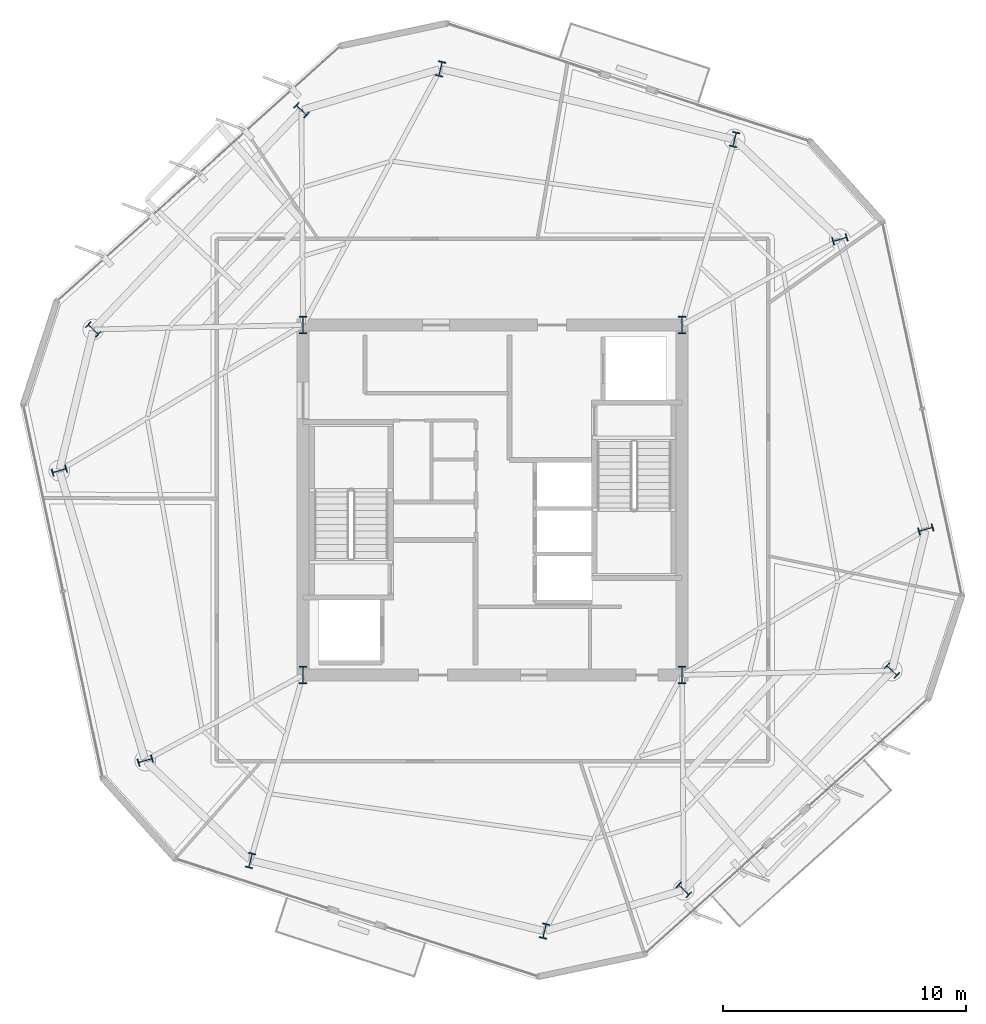
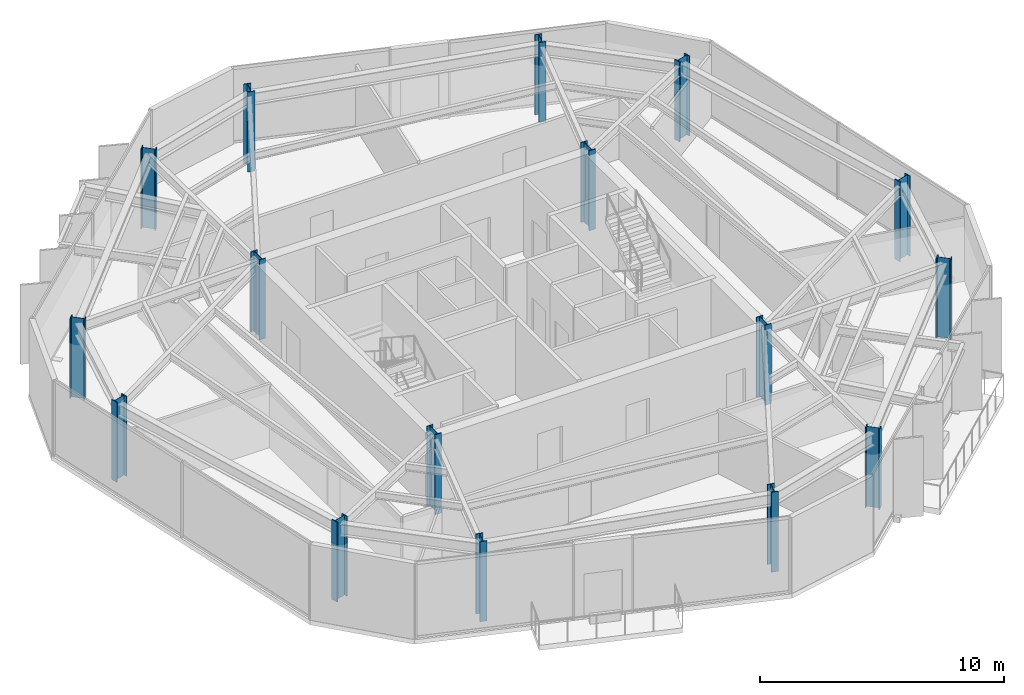
# One storey, part 1 of 11: 16 columns.
"""IFC4 building model written with IfcOpenShell, lengths in metres."""

from ifc_helpers import new_model, si_unit, direction, frame, origin, origin_2d, place, context, subcontext, project, spatial, i_section, extrude, material, material_profile, profile_set, type_object, element, save


model = new_model("IFC4")

# Units and contexts
model_context = context("Model", 3, precision=1e-05, world=origin(), true_north=direction((0.0, 1.0)))
body_context = subcontext(model_context, "Body", "Model", "MODEL_VIEW")
ifc_project = project(units=[si_unit("LENGTHUNIT", "METRE"), si_unit("AREAUNIT", "SQUARE_METRE"), si_unit("VOLUMEUNIT", "CUBIC_METRE"), si_unit("PLANEANGLEUNIT", "RADIAN"), si_unit("MASSUNIT", "GRAM", prefix="KILO")], contexts=[model_context])

# Site, building, storey
site_placement = place(None, origin())
site = spatial("IfcSite", under=ifc_project, at=site_placement, CompositionType="ELEMENT")
building_placement = place(site_placement, origin())
building = spatial("IfcBuilding", under=site, at=building_placement, Name="Kranzbogen Civic Tower", CompositionType="ELEMENT")
storey_placement = place(building_placement, frame((0.0, 0.0, 192.800048828125)))
storey = spatial("IfcBuildingStorey", under=building, at=storey_placement, Name="L46", CompositionType="ELEMENT", Elevation=192.800048828125)

# Columns
ifc_material_1 = material(Name="Steel S355", Category="steel")
ifc_material_profile_1 = material_profile(ifc_material_1, i_section(OverallWidth=0.304931640625, OverallDepth=0.6201171875, WebThickness=0.02099609375, FlangeThickness=0.0400390625, at=origin_2d()), Name="HEM 600")
ifc_profile_set_1 = profile_set([ifc_material_profile_1], Name="Steel S355")
column_type_1 = type_object("IfcColumnType", Name="Structural Column HEM 600", PredefinedType="COLUMN", material=ifc_profile_set_1)
for number, where, z_axis, x_axis, name in (
    (1, (34.9609375, 39.8349609375, 0.0), (0.0, 0.0, 1.0), (-0.972369920398, 0.233445363856, 0.0), "L46 tower perimeter tube column 01"),
    (2, (22.860107421875, 42.739990234375, 0.0), (0.0, 0.0, 1.0), (-0.972369920398, 0.233445363856, 0.0), "L46 tower perimeter tube column 02"),
    (3, (17.133056640625, 41.0439453125, 0.0), (0.0, 0.0, 1.0), (0.688354575694, 0.725374371012, 0.0), "L46 tower perimeter tube column 03"),
    (4, (8.56689453125, 32.01611328125, 0.0), (0.0, 0.0, 1.0), (0.688354575694, 0.725374371012, 0.0), "L46 tower perimeter tube column 04"),
    (5, (7.172119140625, 26.208984375, 0.0), (0.0, 0.0, 1.0), (-0.284015344704, 0.958819734868, 0.0), "L46 tower perimeter tube column 05"),
    (6, (10.70703125, 14.27587890625, 0.0), (0.0, 0.0, 1.0), (-0.284015344704, 0.958819734868, 0.0), "L46 tower perimeter tube column 06"),
    (7, (15.0390625, 10.1650390625, 0.0), (0.0, 0.0, 1.0), (-0.972369920398, 0.233445363856, 0.0), "L46 tower perimeter tube column 07"),
    (8, (27.139892578125, 7.260009765625, 0.0), (0.0, 0.0, 1.0), (-0.972369920398, 0.233445363856, 0.0), "L46 tower perimeter tube column 08"),
    (9, (32.866943359375, 8.9560546875, 0.0), (0.0, 0.0, 1.0), (0.688354575694, 0.725374371012, 0.0), "L46 tower perimeter tube column 09"),
    (10, (41.43310546875, 17.98388671875, 0.0), (0.0, 0.0, 1.0), (0.688354575694, 0.725374371012, 0.0), "L46 tower perimeter tube column 10"),
    (11, (42.827880859375, 23.791015625, 0.0), (0.0, 0.0, 1.0), (-0.284015344704, 0.958819734868, 0.0), "L46 tower perimeter tube column 11"),
    (12, (39.29296875, 35.72412109375, 0.0), (0.0, 0.0, 1.0), (-0.284015344704, 0.958819734868, 0.0), "L46 tower perimeter tube column 12"),
):
    element("IfcColumn", number, at=place(storey_placement, frame(where, z_axis=z_axis, x_axis=x_axis)), inside=storey, type_object=column_type_1, Name=name, PredefinedType="COLUMN", context=body_context, shape_type="SweptSolid", body=[
        extrude(i_section(OverallWidth=0.304931640625, OverallDepth=0.6201171875, WebThickness=0.02099609375, FlangeThickness=0.0400390625, at=origin_2d()), origin(), (0.0, 0.0, 1.0), 4.0),
    ])
ifc_material_2 = material(Name="Steel S460", Category="steel")
ifc_material_profile_2 = material_profile(ifc_material_2, i_section(OverallWidth=0.303955078125, OverallDepth=0.716064453125, WebThickness=0.02099609375, FlangeThickness=0.0400390625, at=origin_2d()), Name="HEM 700")
ifc_profile_set_2 = profile_set([ifc_material_profile_2], Name="Steel S460")
column_type_2 = type_object("IfcColumnType", Name="Structural Column HEM 700", PredefinedType="COLUMN", material=ifc_profile_set_2)
for number, where, z_axis, x_axis, name in (
    (13, (17.199951171875, 17.800048828125, 0.0), (0.0, 0.0, 1.0), (1.0, 0.0, 0.0), "L46 composite core corner column 1"),
    (14, (32.800048828125, 17.800048828125, 0.0), (0.0, 0.0, 1.0), (1.0, 0.0, 0.0), "L46 composite core corner column 2"),
    (15, (32.800048828125, 32.199951171875, 0.0), (0.0, 0.0, 1.0), (1.0, 0.0, 0.0), "L46 composite core corner column 3"),
    (16, (17.199951171875, 32.199951171875, 0.0), (0.0, 0.0, 1.0), (1.0, 0.0, 0.0), "L46 composite core corner column 4"),
):
    element("IfcColumn", number, at=place(storey_placement, frame(where, z_axis=z_axis, x_axis=x_axis)), inside=storey, type_object=column_type_2, Name=name, PredefinedType="COLUMN", context=body_context, shape_type="SweptSolid", body=[
        extrude(i_section(OverallWidth=0.303955078125, OverallDepth=0.716064453125, WebThickness=0.02099609375, FlangeThickness=0.0400390625, at=origin_2d()), origin(), (0.0, 0.0, 1.0), 4.0),
    ])

save(model, "model.ifc")
